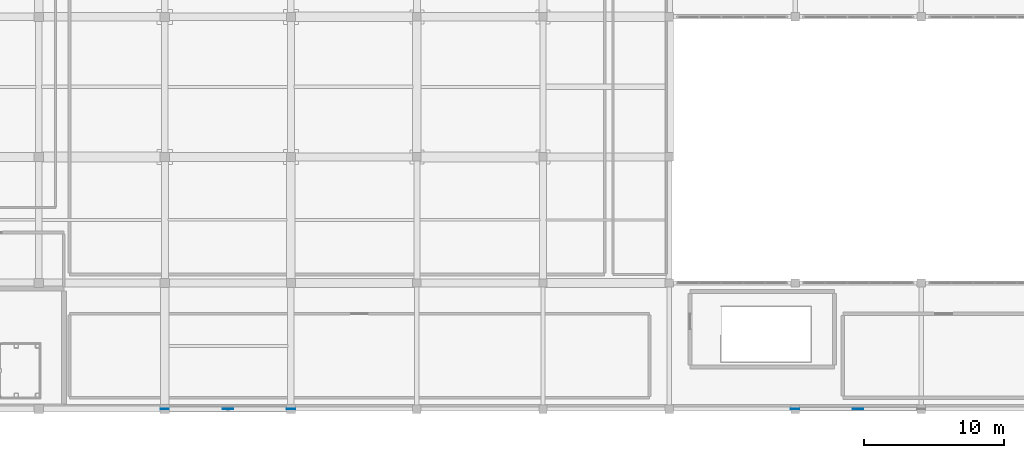
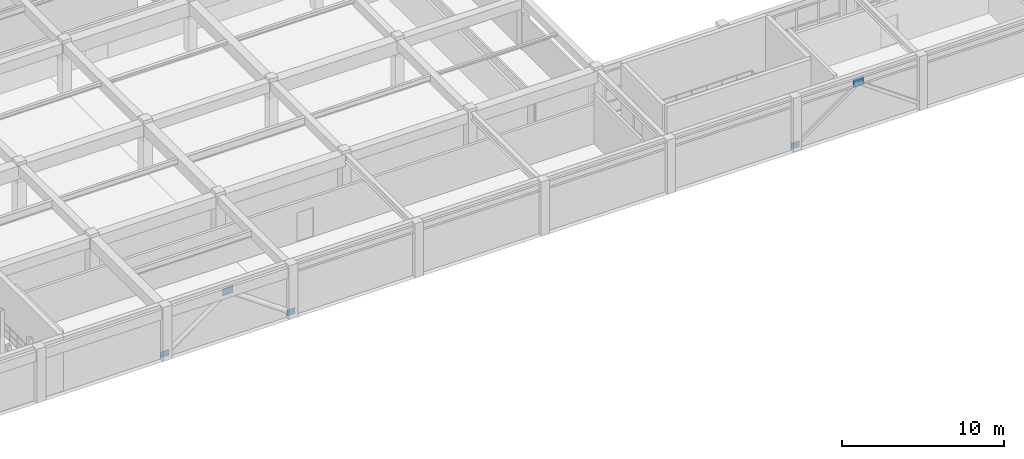
# One storey, part 102 of 130: 5 plates.
"""IFC4 building model written with IfcOpenShell, lengths in metres."""

from ifc_helpers import new_model, si_unit, direction, frame, origin, origin_2d, place, context, subcontext, project, spatial, rectangle, extrude, material, layer, layer_set, type_object, element, save


model = new_model("IFC4")

# Units and contexts
model_context = context("Model", 3, precision=1e-05, world=origin(), true_north=direction((0.0, 1.0)))
body_context = subcontext(model_context, "Body", "Model", "MODEL_VIEW")
ifc_project = project(units=[si_unit("LENGTHUNIT", "METRE"), si_unit("AREAUNIT", "SQUARE_METRE"), si_unit("VOLUMEUNIT", "CUBIC_METRE"), si_unit("PLANEANGLEUNIT", "RADIAN"), si_unit("MASSUNIT", "GRAM", prefix="KILO")], contexts=[model_context])

# Site, building, storey
site_placement = place(None, origin())
site = spatial("IfcSite", under=ifc_project, at=site_placement, CompositionType="ELEMENT")
building_placement = place(site_placement, origin())
building = spatial("IfcBuilding", under=site, at=building_placement, Name="Miravela Opera House", CompositionType="ELEMENT")
storey_placement = place(building_placement, frame((0.0, 0.0, 9.52001953125)))
storey = spatial("IfcBuildingStorey", under=building, at=storey_placement, Name="L02", CompositionType="ELEMENT", Elevation=9.52001953125)

# Plates
ifc_material = material(Name="Structural steel ASTM A572 Gr. 50", Category="steel")
ifc_layer_1 = layer(ifc_material, 0.01806640625)
ifc_layer_set_1 = layer_set([ifc_layer_1])
plate_type_1 = type_object("IfcPlateType", Name="STR-PL-GUS-600X450X18", PredefinedType="USERDEFINED", material=ifc_layer_set_1)
for number, where, z_axis, x_axis, name in (
    (1, (81.0, 0.0, 0.0751953125), (0.0, 0.0, 1.0), (1.0, 0.0, 0.0), "Brace Wall Cast-In Embed Plate 304"),
    (2, (90.0, 0.0, 0.0751953125), (0.0, 0.0, 1.0), (1.0, 0.0, 0.0), "Brace Wall Cast-In Embed Plate 305"),
    (3, (126.0, 0.0, 0.0751953125), (0.0, 0.0, 1.0), (1.0, 0.0, 0.0), "Brace Wall Cast-In Embed Plate 316"),
):
    element("IfcPlate", number, at=place(storey_placement, frame(where, z_axis=z_axis, x_axis=x_axis)), inside=storey, type_object=plate_type_1, Name=name, ObjectType="GUSSET PLATE", PredefinedType="USERDEFINED", context=body_context, shape_type="SweptSolid", body=[
        extrude(rectangle(XDim=0.60009765625, YDim=0.01806640625, at=origin_2d()), origin(), (0.0, 0.0, 1.0), 0.449951171875),
    ])
ifc_layer_2 = layer(ifc_material, 0.02001953125)
ifc_layer_set_2 = layer_set([ifc_layer_2])
plate_type_2 = type_object("IfcPlateType", Name="STR-PL-GUS-750X550X20", PredefinedType="USERDEFINED", material=ifc_layer_set_2)
for number, where, z_axis, x_axis, name in (
    (4, (85.5, 0.0, 3.21484375), (0.0, 0.0, 1.0), (1.0, 0.0, 0.0), "Chevron Brace Apex Gusset Plate 303"),
    (5, (130.5, 0.0, 3.21484375), (0.0, 0.0, 1.0), (1.0, 0.0, 0.0), "Chevron Brace Apex Gusset Plate 315"),
):
    element("IfcPlate", number, at=place(storey_placement, frame(where, z_axis=z_axis, x_axis=x_axis)), inside=storey, type_object=plate_type_2, Name=name, ObjectType="GUSSET PLATE", PredefinedType="USERDEFINED", context=body_context, shape_type="SweptSolid", body=[
        extrude(rectangle(XDim=0.75, YDim=0.02001953125, at=origin_2d()), origin(), (0.0, 0.0, 1.0), 0.550048828125),
    ])

save(model, "model.ifc")
